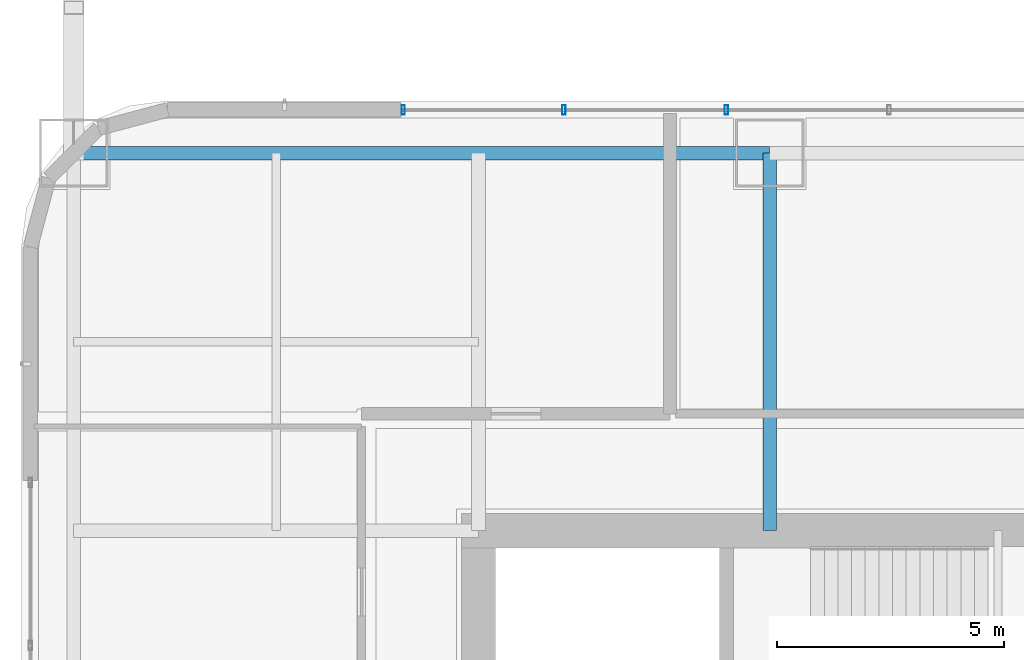
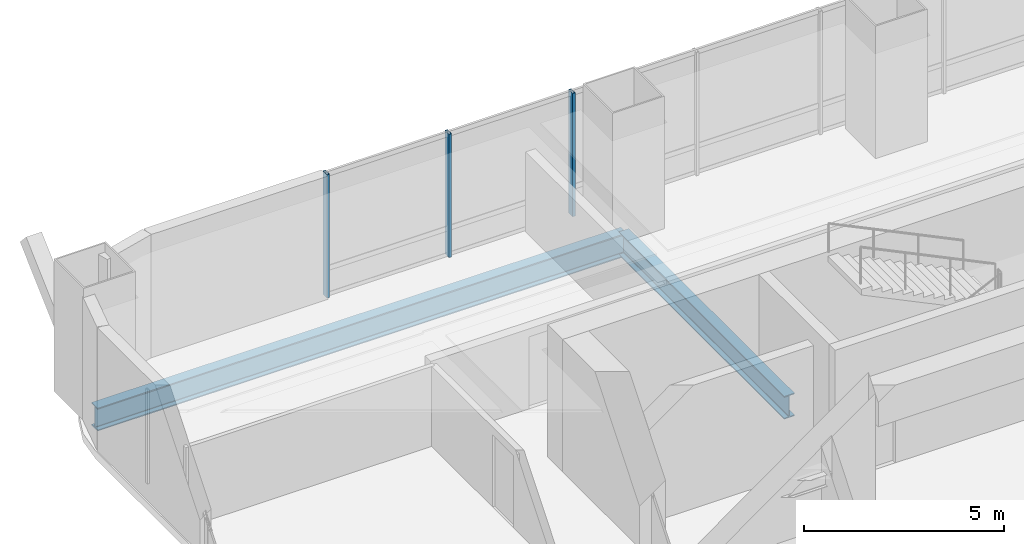
# One storey, part 19 of 42: 3 members, 2 beams, 1 element without a shape of its own.
"""IFC4 building model written with IfcOpenShell, lengths in metres."""

from ifc_helpers import new_model, si_unit, direction, frame, origin, origin_2d, place, context, subcontext, project, spatial, hollow_rectangle, i_section, extrude, material, material_profile, profile_set, type_object, element, aggregate, save


model = new_model("IFC4")

# Units and contexts
model_context = context("Model", 3, precision=1e-05, world=origin(), true_north=direction((0.0, 1.0)))
body_context = subcontext(model_context, "Body", "Model", "MODEL_VIEW")
ifc_project = project(units=[si_unit("LENGTHUNIT", "METRE"), si_unit("AREAUNIT", "SQUARE_METRE"), si_unit("VOLUMEUNIT", "CUBIC_METRE"), si_unit("PLANEANGLEUNIT", "RADIAN"), si_unit("MASSUNIT", "GRAM", prefix="KILO")], contexts=[model_context])

# Site, building, storey
site_placement = place(None, origin())
site = spatial("IfcSite", under=ifc_project, at=site_placement, CompositionType="ELEMENT")
building_placement = place(site_placement, origin())
building = spatial("IfcBuilding", under=site, at=building_placement, Name="Punatoya Terracotta Tower", CompositionType="ELEMENT")
storey_placement = place(building_placement, frame((0.0, 0.0, 88.949951171875)))
storey = spatial("IfcBuildingStorey", under=building, at=storey_placement, Name="L20", CompositionType="ELEMENT", Elevation=88.949951171875)

# Beams
ifc_material_1 = material(Name="Steel S355", Category="steel")
ifc_material_profile_1 = material_profile(ifc_material_1, i_section(OverallWidth=0.300048828125, OverallDepth=0.699951171875, WebThickness=0.01708984375, FlangeThickness=0.031982421875, FilletRadius=0.01806640625, at=origin_2d()))
ifc_profile_set_1 = profile_set([ifc_material_profile_1], Name="Steel S355")
beam_type = type_object("IfcBeamType", Name="BM-PRI-700", PredefinedType="BEAM", material=ifc_profile_set_1)
beam_1_placement = place(storey_placement, frame((-19.10009765625, 17.5, -0.58984375), z_axis=(1.0, 0.0, 0.0), x_axis=(0.0, 1.0, 0.0)))
element("IfcBeam", 1, at=beam_1_placement, inside=storey, type_object=beam_type, Name="BM-L20-RG-N1", PredefinedType="BEAM", context=body_context, shape_type="SweptSolid", body=[
    extrude(i_section(OverallWidth=0.300048828125, OverallDepth=0.699951171875, WebThickness=0.01708984375, FlangeThickness=0.031982421875, FilletRadius=0.01806640625, at=origin_2d()), origin(), (0.0, 0.0, 1.0), 15.300048828125),
])
beam_2_placement = place(storey_placement, frame((-3.800048828125, 9.199951171875, -0.58984375), z_axis=(0.0, 1.0, 0.0), x_axis=(-1.0, 0.0, 0.0)))
element("IfcBeam", 2, at=beam_2_placement, inside=storey, type_object=beam_type, Name="BM-L20-PR-N2", PredefinedType="BEAM", context=body_context, shape_type="SweptSolid", body=[
    extrude(i_section(OverallWidth=0.300048828125, OverallDepth=0.699951171875, WebThickness=0.01708984375, FlangeThickness=0.031982421875, FilletRadius=0.01806640625, at=origin_2d()), origin(), (0.0, 0.0, 1.0), 8.300048828125),
])

# Curtain wall, members
ifc_material_2 = material(Name="Aluminium 6063-T6 + Double Low-E Glass", Category="aluminium")
curtain_wall_type = type_object("IfcCurtainWallType", Name="CW-M1", PredefinedType="NOTDEFINED", material=ifc_material_2)
curtain_wall_placement = place(storey_placement, origin())
curtain_wall = element("IfcCurtainWall", 3, at=curtain_wall_placement, inside=storey, type_object=curtain_wall_type, Name="L20 Curtain Wall CW-L20-N09-1", PredefinedType="NOTDEFINED")
ifc_material_3 = material(Name="Aluminium 6063-T6", Category="aluminium")
ifc_material_profile_2 = material_profile(ifc_material_3, hollow_rectangle(XDim=0.074951171875, YDim=0.2099609375, WallThickness=0.00439453125, at=origin_2d()))
ifc_profile_set_2 = profile_set([ifc_material_profile_2], Name="Aluminium 6063-T6")
member_type = type_object("IfcMemberType", Name="CW-MUL-M1", PredefinedType="MULLION", material=ifc_profile_set_2)
member_1_placement = place(storey_placement, frame((-4.75, 18.449951171875, 0.0), z_axis=(0.0, 0.0, 1.0), x_axis=(1.0, 0.0, 0.0)))
member_1 = element("IfcMember", 4, at=member_1_placement, type_object=member_type, Name="CW-L20-N09-1 Mullion 06", PredefinedType="MULLION", context=body_context, shape_type="SweptSolid", body=[
    extrude(hollow_rectangle(XDim=0.074951171875, YDim=0.2099609375, WallThickness=0.00439453125, at=origin_2d()), origin(), (0.0, 0.0, 1.0), 3.77001953125),
])
member_2_placement = place(storey_placement, frame((-8.324951171875, 18.449951171875, 0.0), z_axis=(0.0, 0.0, 1.0), x_axis=(1.0, 0.0, 0.0)))
member_2 = element("IfcMember", 5, at=member_2_placement, type_object=member_type, Name="CW-L20-N09-1 Mullion 07", PredefinedType="MULLION", context=body_context, shape_type="SweptSolid", body=[
    extrude(hollow_rectangle(XDim=0.074951171875, YDim=0.2099609375, WallThickness=0.00439453125, at=origin_2d()), origin(), (0.0, 0.0, 1.0), 3.77001953125),
])
member_3_placement = place(storey_placement, frame((-11.85498046875, 18.449951171875, 0.0), z_axis=(0.0, 0.0, 1.0), x_axis=(1.0, 0.0, 0.0)))
member_3 = element("IfcMember", 6, at=member_3_placement, type_object=member_type, Name="CW-L20-N09-1 Mullion 08", PredefinedType="MULLION", context=body_context, shape_type="SweptSolid", body=[
    extrude(hollow_rectangle(XDim=0.074951171875, YDim=0.2099609375, WallThickness=0.00439453125, at=origin_2d()), origin(), (0.0, 0.0, 1.0), 3.77001953125),
])
aggregate(curtain_wall, [member_1, member_2, member_3])

save(model, "model.ifc")
